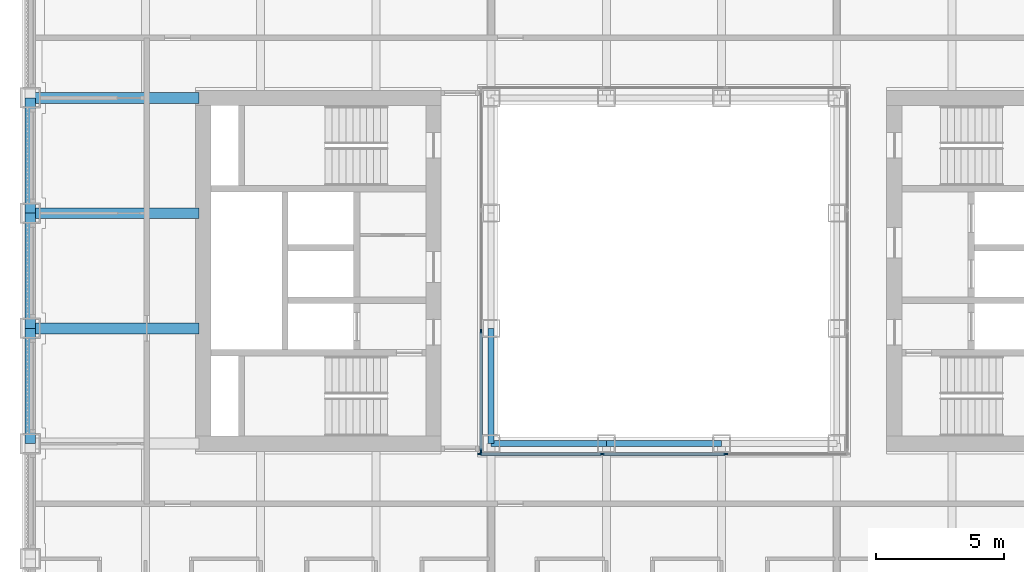
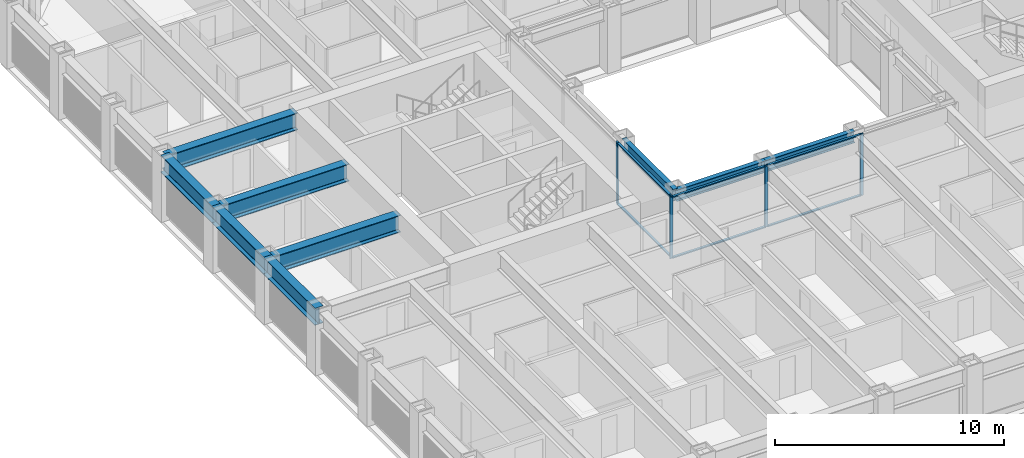
# One storey, part 3 of 21: 11 members, 9 beams, 2 elements without a shape of their own.
"""IFC4 building model written with IfcOpenShell, lengths in metres."""

from ifc_helpers import new_model, si_unit, direction, frame, origin, origin_2d, place, context, subcontext, project, spatial, rectangle, i_section, extrude, material, material_profile, profile_set, type_object, element, aggregate, save


model = new_model("IFC4")

# Units and contexts
model_context = context("Model", 3, precision=1e-05, world=origin(), true_north=direction((0.0, 1.0)))
body_context = subcontext(model_context, "Body", "Model", "MODEL_VIEW")
ifc_project = project(units=[si_unit("LENGTHUNIT", "METRE"), si_unit("AREAUNIT", "SQUARE_METRE"), si_unit("VOLUMEUNIT", "CUBIC_METRE"), si_unit("PLANEANGLEUNIT", "RADIAN"), si_unit("MASSUNIT", "GRAM", prefix="KILO")], contexts=[model_context])

# Site, building, storey
site_placement = place(None, origin())
site = spatial("IfcSite", under=ifc_project, at=site_placement, CompositionType="ELEMENT")
building_placement = place(site_placement, origin())
building = spatial("IfcBuilding", under=site, at=building_placement, Name="Msasa Ring Tower", CompositionType="ELEMENT")
storey_placement = place(building_placement, frame((0.0, 0.0, 89.5)))
storey = spatial("IfcBuildingStorey", under=building, at=storey_placement, Name="L23", CompositionType="ELEMENT", Elevation=89.5)

# Curtain wall, members
ifc_material_1 = material(Name="Aluminium curtain wall with clear glass", Category="aluminium")
curtain_wall_type = type_object("IfcCurtainWallType", Name="CW-W LIGHT WELL CURTAIN WALL", PredefinedType="NOTDEFINED", material=ifc_material_1)
curtain_wall_1_placement = place(storey_placement, origin())
curtain_wall_1 = element("IfcCurtainWall", 1, at=curtain_wall_1_placement, inside=storey, type_object=curtain_wall_type, Name="Light well curtain wall S L23", PredefinedType="NOTDEFINED")
ifc_material_2 = material(Name="Aluminium mullion", Category="aluminium")
ifc_material_profile_1 = material_profile(ifc_material_2, rectangle(XDim=0.06005859375, YDim=0.159912109375, at=origin_2d()), Name="AL 60x160")
ifc_profile_set_1 = profile_set([ifc_material_profile_1], Name="Aluminium mullion")
member_type_1 = type_object("IfcMemberType", Name="CW-W MULLION 60x160", PredefinedType="MULLION", material=ifc_profile_set_1)
member_1_placement = place(storey_placement, frame((-7.199951171875, -7.14990234375, 0.0), z_axis=(0.0, 0.0, 1.0), x_axis=(0.0, 1.0, 0.0)))
member_1 = element("IfcMember", 2, at=member_1_placement, type_object=member_type_1, Name="CW-W mullion 1", PredefinedType="MULLION", context=body_context, shape_type="SweptSolid", body=[
    extrude(rectangle(XDim=0.06005859375, YDim=0.159912109375, at=origin_2d()), origin(), (0.0, 0.0, 1.0), 3.300048828125),
])
member_2_placement = place(storey_placement, frame((-2.409912109375, -7.14990234375, 0.0), z_axis=(0.0, 0.0, 1.0), x_axis=(0.0, 1.0, 0.0)))
member_2 = element("IfcMember", 3, at=member_2_placement, type_object=member_type_1, Name="CW-W mullion 2", PredefinedType="MULLION", context=body_context, shape_type="SweptSolid", body=[
    extrude(rectangle(XDim=0.06005859375, YDim=0.159912109375, at=origin_2d()), origin(), (0.0, 0.0, 1.0), 3.300048828125),
])
member_3_placement = place(storey_placement, frame((2.409912109375, -7.14990234375, 0.0), z_axis=(0.0, 0.0, 1.0), x_axis=(0.0, 1.0, 0.0)))
member_3 = element("IfcMember", 4, at=member_3_placement, type_object=member_type_1, Name="CW-W mullion 3", PredefinedType="MULLION", context=body_context, shape_type="SweptSolid", body=[
    extrude(rectangle(XDim=0.06005859375, YDim=0.159912109375, at=origin_2d()), origin(), (0.0, 0.0, 1.0), 3.300048828125),
])

curtain_wall_2_placement = place(storey_placement, origin())
curtain_wall_2 = element("IfcCurtainWall", 5, at=curtain_wall_2_placement, inside=storey, type_object=curtain_wall_type, Name="Light well curtain wall W L23", PredefinedType="NOTDEFINED")
member_4_placement = place(storey_placement, frame((-7.14990234375, -7.0400390625, 0.0), z_axis=(0.0, 0.0, 1.0), x_axis=(-1.0, 0.0, 0.0)))
member_4 = element("IfcMember", 6, at=member_4_placement, type_object=member_type_1, Name="CW-W mullion 1", PredefinedType="MULLION", context=body_context, shape_type="SweptSolid", body=[
    extrude(rectangle(XDim=0.06005859375, YDim=0.159912109375, at=origin_2d()), origin(), (0.0, 0.0, 1.0), 3.300048828125),
])
member_5_placement = place(storey_placement, frame((-7.14990234375, -2.356689453125, 0.0), z_axis=(0.0, 0.0, 1.0), x_axis=(-1.0, 0.0, 0.0)))
member_5 = element("IfcMember", 7, at=member_5_placement, type_object=member_type_1, Name="CW-W mullion 2", PredefinedType="MULLION", context=body_context, shape_type="SweptSolid", body=[
    extrude(rectangle(XDim=0.06005859375, YDim=0.159912109375, at=origin_2d()), origin(), (0.0, 0.0, 1.0), 3.300048828125),
])

# Member
ifc_material_3 = material(Name="Aluminium transom", Category="aluminium")
ifc_material_profile_2 = material_profile(ifc_material_3, rectangle(XDim=0.1201171875, YDim=0.06005859375, at=origin_2d()), Name="AL 60x120")
ifc_profile_set_2 = profile_set([ifc_material_profile_2], Name="Aluminium transom")
member_type_2 = type_object("IfcMemberType", Name="CW-W TRANSOM 60x120", PredefinedType="USERDEFINED", material=ifc_profile_set_2)
member_6_placement = place(storey_placement, frame((-7.169921875, -7.14990234375, 0.030029296875), z_axis=(1.0, 0.0, 0.0), x_axis=(0.0, 1.0, 0.0)))
member_6 = element("IfcMember", 8, at=member_6_placement, type_object=member_type_2, Name="CW-W transom 1.1", ObjectType="TRANSOM", PredefinedType="USERDEFINED", context=body_context, shape_type="SweptSolid", body=[
    extrude(rectangle(XDim=0.1201171875, YDim=0.06005859375, at=origin_2d()), origin(), (0.0, 0.0, 1.0), 4.72998046875),
])

member_7_placement = place(storey_placement, frame((-7.169921875, -7.14990234375, 3.27001953125), z_axis=(1.0, 0.0, 0.0), x_axis=(0.0, 1.0, 0.0)))
member_7 = element("IfcMember", 9, at=member_7_placement, type_object=member_type_2, Name="CW-W transom 1.2", ObjectType="TRANSOM", PredefinedType="USERDEFINED", context=body_context, shape_type="SweptSolid", body=[
    extrude(rectangle(XDim=0.1201171875, YDim=0.06005859375, at=origin_2d()), origin(), (0.0, 0.0, 1.0), 4.72998046875),
])

member_8_placement = place(storey_placement, frame((-2.3798828125, -7.14990234375, 0.030029296875), z_axis=(1.0, 0.0, 0.0), x_axis=(0.0, 1.0, 0.0)))
member_8 = element("IfcMember", 10, at=member_8_placement, type_object=member_type_2, Name="CW-W transom 2.1", ObjectType="TRANSOM", PredefinedType="USERDEFINED", context=body_context, shape_type="SweptSolid", body=[
    extrude(rectangle(XDim=0.1201171875, YDim=0.06005859375, at=origin_2d()), origin(), (0.0, 0.0, 1.0), 4.759765625),
])

member_9_placement = place(storey_placement, frame((-2.3798828125, -7.14990234375, 3.27001953125), z_axis=(1.0, 0.0, 0.0), x_axis=(0.0, 1.0, 0.0)))
member_9 = element("IfcMember", 11, at=member_9_placement, type_object=member_type_2, Name="CW-W transom 2.2", ObjectType="TRANSOM", PredefinedType="USERDEFINED", context=body_context, shape_type="SweptSolid", body=[
    extrude(rectangle(XDim=0.1201171875, YDim=0.06005859375, at=origin_2d()), origin(), (0.0, 0.0, 1.0), 4.759765625),
])

aggregate(curtain_wall_1, [member_1, member_2, member_3, member_6, member_7, member_8, member_9])

member_10_placement = place(storey_placement, frame((-7.14990234375, -7.010009765625, 0.030029296875), z_axis=(0.0, 1.0, 0.0), x_axis=(-1.0, 0.0, 0.0)))
member_10 = element("IfcMember", 12, at=member_10_placement, type_object=member_type_2, Name="CW-W transom 1.1", ObjectType="TRANSOM", PredefinedType="USERDEFINED", context=body_context, shape_type="SweptSolid", body=[
    extrude(rectangle(XDim=0.1201171875, YDim=0.06005859375, at=origin_2d()), origin(), (0.0, 0.0, 1.0), 4.623291015625),
])

member_11_placement = place(storey_placement, frame((-7.14990234375, -7.010009765625, 3.27001953125), z_axis=(0.0, 1.0, 0.0), x_axis=(-1.0, 0.0, 0.0)))
member_11 = element("IfcMember", 13, at=member_11_placement, type_object=member_type_2, Name="CW-W transom 1.2", ObjectType="TRANSOM", PredefinedType="USERDEFINED", context=body_context, shape_type="SweptSolid", body=[
    extrude(rectangle(XDim=0.1201171875, YDim=0.06005859375, at=origin_2d()), origin(), (0.0, 0.0, 1.0), 4.623291015625),
])

aggregate(curtain_wall_2, [member_4, member_5, member_10, member_11])

# Beams
ifc_material_4 = material(Name="Steel S355", Category="steel")
ifc_material_profile_3 = material_profile(ifc_material_4, i_section(OverallWidth=0.42041015625, OverallDepth=0.9208984375, WebThickness=0.021484375, FlangeThickness=0.03662109375, FilletRadius=0.024169921875, at=origin_2d()), Name="UB 914x419x388")
ifc_profile_set_3 = profile_set([ifc_material_profile_3], Name="Steel S355")
beam_type_1 = type_object("IfcBeamType", Name="FB2 UB 914x419x388", PredefinedType="BEAM", material=ifc_profile_set_3)
for number, where, z_axis, x_axis, name in (
    (14, (-24.75, -2.25, 2.839599609375), (1.0, 0.0, 0.0), (0.0, 1.0, 0.0), "Floor beam W -2.25 under L24"),
    (15, (-24.75, 2.25, 2.839599609375), (1.0, 0.0, 0.0), (0.0, 1.0, 0.0), "Floor beam W +2.25 under L24"),
):
    element("IfcBeam", number, at=place(storey_placement, frame(where, z_axis=z_axis, x_axis=x_axis)), inside=storey, type_object=beam_type_1, Name=name, PredefinedType="BEAM", context=body_context, shape_type="SweptSolid", body=[
        extrude(i_section(OverallWidth=0.42041015625, OverallDepth=0.9208984375, WebThickness=0.021484375, FlangeThickness=0.03662109375, FilletRadius=0.024169921875, at=origin_2d()), origin(), (0.0, 0.0, 1.0), 6.60009765625),
    ])
ifc_material_5 = material(Name="Steel S355", Category="steel")
ifc_material_profile_4 = material_profile(ifc_material_5, i_section(OverallWidth=0.42041015625, OverallDepth=0.9208984375, WebThickness=0.021484375, FlangeThickness=0.03662109375, FilletRadius=0.024169921875, at=origin_2d()), Name="UB 914x419x388")
ifc_profile_set_4 = profile_set([ifc_material_profile_4], Name="Steel S355")
beam_type_2 = type_object("IfcBeamType", Name="GB1 UB 914x419x388", PredefinedType="BEAM", material=ifc_profile_set_4)
beam_placement = place(storey_placement, frame((-18.14990234375, 6.75, 2.839599609375), z_axis=(-1.0, 0.0, 0.0), x_axis=(0.0, -1.0, 0.0)))
element("IfcBeam", 16, at=beam_placement, inside=storey, type_object=beam_type_2, Name="Girder W +6.75 under L24", PredefinedType="BEAM", context=body_context, shape_type="SweptSolid", body=[
    extrude(i_section(OverallWidth=0.42041015625, OverallDepth=0.9208984375, WebThickness=0.021484375, FlangeThickness=0.03662109375, FilletRadius=0.024169921875, at=origin_2d()), origin(), (0.0, 0.0, 1.0), 6.60009765625),
])
ifc_material_6 = material(Name="Steel S355", Category="steel")
ifc_material_profile_5 = material_profile(ifc_material_6, i_section(OverallWidth=0.230224609375, OverallDepth=0.6171875, WebThickness=0.01318359375, FlangeThickness=0.022216796875, FilletRadius=0.0126953125, at=origin_2d()), Name="UB 610x229x140")
ifc_profile_set_5 = profile_set([ifc_material_profile_5], Name="Steel S355")
beam_type_3 = type_object("IfcBeamType", Name="RB1 UB 610x229x140", PredefinedType="BEAM", material=ifc_profile_set_5)
for number, where, z_axis, x_axis, name in (
    (17, (-6.75, -2.25, 2.991455078125), (0.0, -1.0, 0.0), (1.0, 0.0, 0.0), "Inner ring beam IR-6.75-2.25 under L24"),
    (18, (-6.75, -6.75, 2.991455078125), (1.0, 0.0, 0.0), (0.0, 1.0, 0.0), "Inner ring beam IR-6.75-6.75 under L24"),
    (19, (-2.25, -6.75, 2.991455078125), (1.0, 0.0, 0.0), (0.0, 1.0, 0.0), "Inner ring beam IR-2.25-6.75 under L24"),
):
    element("IfcBeam", number, at=place(storey_placement, frame(where, z_axis=z_axis, x_axis=x_axis)), inside=storey, type_object=beam_type_3, Name=name, PredefinedType="BEAM", context=body_context, shape_type="SweptSolid", body=[
        extrude(i_section(OverallWidth=0.230224609375, OverallDepth=0.6171875, WebThickness=0.01318359375, FlangeThickness=0.022216796875, FilletRadius=0.0126953125, at=origin_2d()), origin(), (0.0, 0.0, 1.0), 4.5),
    ])
ifc_material_7 = material(Name="Steel S355", Category="steel")
ifc_material_profile_6 = material_profile(ifc_material_7, i_section(OverallWidth=0.42041015625, OverallDepth=0.9208984375, WebThickness=0.021484375, FlangeThickness=0.03662109375, FilletRadius=0.024169921875, at=origin_2d()), Name="UB 914x419x388")
ifc_profile_set_6 = profile_set([ifc_material_profile_6], Name="Steel S355")
beam_type_4 = type_object("IfcBeamType", Name="SB1 UB 914x419x388", PredefinedType="SPANDREL", material=ifc_profile_set_6)
for number, where, z_axis, x_axis, name in (
    (20, (-24.75, -2.25, 2.839599609375), (0.0, -1.0, 0.0), (1.0, 0.0, 0.0), "Spandrel W-2.25 to W-6.75 under L24"),
    (21, (-24.75, 6.75, 2.839599609375), (0.0, -1.0, 0.0), (1.0, 0.0, 0.0), "Spandrel W+6.75 to W+2.25 under L24"),
    (22, (-24.75, 2.25, 2.839599609375), (0.0, -1.0, 0.0), (1.0, 0.0, 0.0), "Spandrel W+2.25 to W-2.25 under L24"),
):
    element("IfcBeam", number, at=place(storey_placement, frame(where, z_axis=z_axis, x_axis=x_axis)), inside=storey, type_object=beam_type_4, Name=name, PredefinedType="SPANDREL", context=body_context, shape_type="SweptSolid", body=[
        extrude(i_section(OverallWidth=0.42041015625, OverallDepth=0.9208984375, WebThickness=0.021484375, FlangeThickness=0.03662109375, FilletRadius=0.024169921875, at=origin_2d()), origin(), (0.0, 0.0, 1.0), 4.5),
    ])

save(model, "model.ifc")
